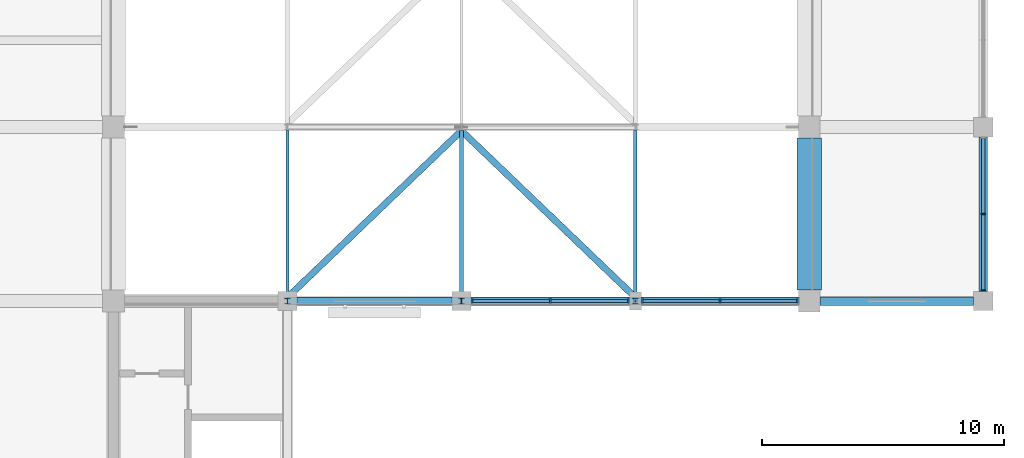
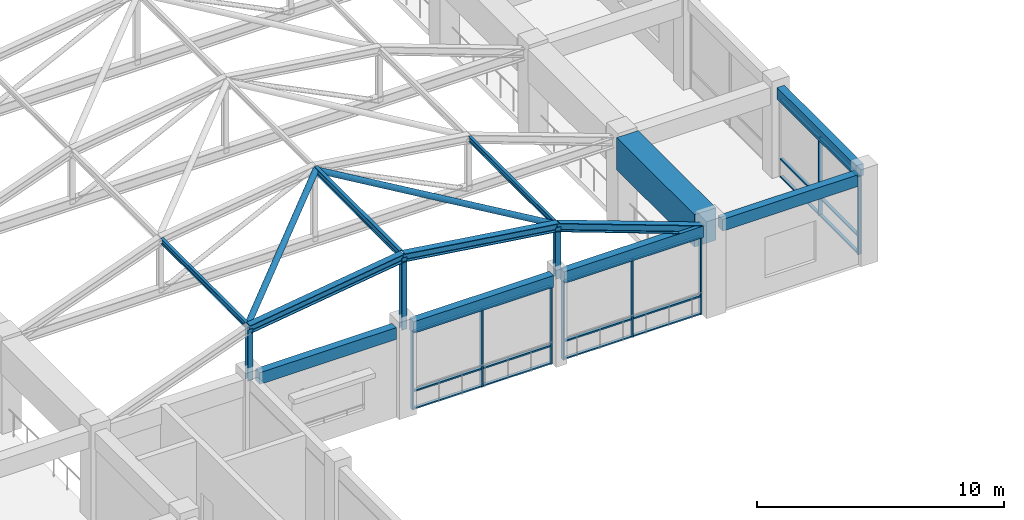
# One storey, part 35 of 75: 37 members, 6 beams, 3 elements without a shape of their own.
"""IFC4 building model written with IfcOpenShell, lengths in metres."""

from ifc_helpers import new_model, si_unit, direction, frame, origin, origin_2d, place, context, subcontext, project, spatial, rectangle, hollow_circle, i_section, extrude, material, layer, layer_set, material_profile, profile_set, type_object, element, aggregate, save


model = new_model("IFC4")

# Units and contexts
model_context = context("Model", 3, precision=1e-05, world=origin(), true_north=direction((0.0, 1.0)))
body_context = subcontext(model_context, "Body", "Model", "MODEL_VIEW")
ifc_project = project(units=[si_unit("LENGTHUNIT", "METRE"), si_unit("AREAUNIT", "SQUARE_METRE"), si_unit("VOLUMEUNIT", "CUBIC_METRE"), si_unit("PLANEANGLEUNIT", "RADIAN"), si_unit("MASSUNIT", "GRAM", prefix="KILO")], contexts=[model_context])

# Site, building, storey
site_placement = place(None, origin())
site = spatial("IfcSite", under=ifc_project, at=site_placement, CompositionType="ELEMENT")
building_placement = place(site_placement, origin())
building = spatial("IfcBuilding", under=site, at=building_placement, Name="Cendaluz Park School", CompositionType="ELEMENT")
storey_placement = place(building_placement, frame((0.0, 0.0, 4.800048828125)))
storey = spatial("IfcBuildingStorey", under=building, at=storey_placement, Name="L01", CompositionType="ELEMENT", Elevation=4.800048828125)

# Beams
ifc_material_1 = material(Name="Concrete C40/50", Category="concrete")
ifc_material_profile_1 = material_profile(ifc_material_1, rectangle(XDim=0.35009765625, YDim=0.580078125, at=origin_2d()), Name="RC 350x580", Category="concrete")
ifc_profile_set_1 = profile_set([ifc_material_profile_1], Name="Concrete C40/50")
beam_type_1 = type_object("IfcBeamType", Name="BM-RC04", PredefinedType="LINTEL", material=ifc_profile_set_1)
beam_1_placement = place(storey_placement, frame((144.39990234375, 57.60009765625, 4.139892578125), z_axis=(1.0, 0.0, 0.0), x_axis=(0.0, 1.0, 0.0)))
element("IfcBeam", 1, at=beam_1_placement, inside=storey, type_object=beam_type_1, Name="BM-L01-BMRC04-0189", PredefinedType="LINTEL", context=body_context, shape_type="SweptSolid", body=[
    extrude(rectangle(XDim=0.35009765625, YDim=0.580078125, at=origin_2d()), origin(), (0.0, 0.0, 1.0), 6.400146484375),
])
beam_2_placement = place(storey_placement, frame((151.60009765625, 57.60009765625, 4.139892578125), z_axis=(1.0, 0.0, 0.0), x_axis=(0.0, 1.0, 0.0)))
element("IfcBeam", 2, at=beam_2_placement, inside=storey, type_object=beam_type_1, Name="BM-L01-BMRC04-0198", PredefinedType="LINTEL", context=body_context, shape_type="SweptSolid", body=[
    extrude(rectangle(XDim=0.35009765625, YDim=0.580078125, at=origin_2d()), origin(), (0.0, 0.0, 1.0), 6.5498046875),
])
beam_3_placement = place(storey_placement, frame((158.64990234375, 57.60009765625, 4.139892578125), z_axis=(1.0, 0.0, 0.0), x_axis=(0.0, 1.0, 0.0)))
element("IfcBeam", 3, at=beam_3_placement, inside=storey, type_object=beam_type_1, Name="BM-L01-BMRC04-0207", PredefinedType="LINTEL", context=body_context, shape_type="SweptSolid", body=[
    extrude(rectangle(XDim=0.35009765625, YDim=0.580078125, at=origin_2d()), origin(), (0.0, 0.0, 1.0), 6.5),
])
beam_4_placement = place(storey_placement, frame((166.050048828125, 57.60009765625, 4.139892578125), z_axis=(1.0, 0.0, 0.0), x_axis=(0.0, 1.0, 0.0)))
element("IfcBeam", 4, at=beam_4_placement, inside=storey, type_object=beam_type_1, Name="BM-L01-BMRC04-0216", PredefinedType="LINTEL", context=body_context, shape_type="SweptSolid", body=[
    extrude(rectangle(XDim=0.35009765625, YDim=0.580078125, at=origin_2d()), origin(), (0.0, 0.0, 1.0), 6.349853515625),
])
beam_5_placement = place(storey_placement, frame((172.800048828125, 58.0, 4.139892578125), z_axis=(0.0, 1.0, 0.0), x_axis=(-1.0, 0.0, 0.0)))
element("IfcBeam", 5, at=beam_5_placement, inside=storey, type_object=beam_type_1, Name="BM-L01-BMRC04-0457", PredefinedType="LINTEL", context=body_context, shape_type="SweptSolid", body=[
    extrude(rectangle(XDim=0.35009765625, YDim=0.580078125, at=origin_2d()), origin(), (0.0, 0.0, 1.0), 6.39990234375),
])

# Curtain wall, members
ifc_material_2 = material(Name="Anodised Aluminium 6063-T6", Category="aluminium")
ifc_layer_1 = layer(ifc_material_2, 0.179931640625)
ifc_layer_set_1 = layer_set([ifc_layer_1], Name="Anodised Aluminium 6063-T6")
curtain_wall_type_1 = type_object("IfcCurtainWallType", Name="CW-131x77", PredefinedType="NOTDEFINED", material=ifc_layer_set_1)
curtain_wall_1_placement = place(storey_placement, origin())
curtain_wall_1 = element("IfcCurtainWall", 6, at=curtain_wall_1_placement, inside=storey, type_object=curtain_wall_type_1, Name="CW-L01-074", PredefinedType="NOTDEFINED")
ifc_material_profile_2 = material_profile(ifc_material_2, rectangle(XDim=0.179931640625, YDim=0.070068359375, at=origin_2d()), Name="CWM 180x70", Category="aluminium")
ifc_profile_set_2 = profile_set([ifc_material_profile_2], Name="Anodised Aluminium 6063-T6")
member_type_1 = type_object("IfcMemberType", Name="CWM-01", PredefinedType="MULLION", material=ifc_profile_set_2)
member_1_placement = place(storey_placement, frame((151.635009765625, 57.60009765625, 0.0), z_axis=(0.0, 0.0, 1.0), x_axis=(0.0, 1.0, 0.0)))
member_1 = element("IfcMember", 7, at=member_1_placement, type_object=member_type_1, Name="CP-L01-0950", PredefinedType="MULLION", context=body_context, shape_type="SweptSolid", body=[
    extrude(rectangle(XDim=0.179931640625, YDim=0.070068359375, at=origin_2d()), origin(), (0.0, 0.0, 1.0), 3.849853515625),
])
member_2_placement = place(storey_placement, frame((154.875, 57.60009765625, 0.0), z_axis=(0.0, 0.0, 1.0), x_axis=(0.0, 1.0, 0.0)))
member_2 = element("IfcMember", 8, at=member_2_placement, type_object=member_type_1, Name="CP-L01-0951", PredefinedType="MULLION", context=body_context, shape_type="SweptSolid", body=[
    extrude(rectangle(XDim=0.179931640625, YDim=0.070068359375, at=origin_2d()), origin(), (0.0, 0.0, 1.0), 3.849853515625),
])
member_3_placement = place(storey_placement, frame((158.114990234375, 57.60009765625, 0.0), z_axis=(0.0, 0.0, 1.0), x_axis=(0.0, 1.0, 0.0)))
member_3 = element("IfcMember", 9, at=member_3_placement, type_object=member_type_1, Name="CP-L01-0952", PredefinedType="MULLION", context=body_context, shape_type="SweptSolid", body=[
    extrude(rectangle(XDim=0.179931640625, YDim=0.070068359375, at=origin_2d()), origin(), (0.0, 0.0, 1.0), 3.849853515625),
])

ifc_layer_2 = layer(ifc_material_2, 0.179931640625)
ifc_layer_set_2 = layer_set([ifc_layer_2], Name="Anodised Aluminium 6063-T6")
curtain_wall_type_2 = type_object("IfcCurtainWallType", Name="CW-130x77", PredefinedType="NOTDEFINED", material=ifc_layer_set_2)
curtain_wall_2_placement = place(storey_placement, origin())
curtain_wall_2 = element("IfcCurtainWall", 10, at=curtain_wall_2_placement, inside=storey, type_object=curtain_wall_type_2, Name="CW-L01-076", PredefinedType="NOTDEFINED")
member_4_placement = place(storey_placement, frame((158.68505859375, 57.60009765625, 0.0), z_axis=(0.0, 0.0, 1.0), x_axis=(0.0, 1.0, 0.0)))
member_4 = element("IfcMember", 11, at=member_4_placement, type_object=member_type_1, Name="CP-L01-0976", PredefinedType="MULLION", context=body_context, shape_type="SweptSolid", body=[
    extrude(rectangle(XDim=0.179931640625, YDim=0.070068359375, at=origin_2d()), origin(), (0.0, 0.0, 1.0), 3.849853515625),
])
member_5_placement = place(storey_placement, frame((161.89990234375, 57.60009765625, 0.0), z_axis=(0.0, 0.0, 1.0), x_axis=(0.0, 1.0, 0.0)))
member_5 = element("IfcMember", 12, at=member_5_placement, type_object=member_type_1, Name="CP-L01-0977", PredefinedType="MULLION", context=body_context, shape_type="SweptSolid", body=[
    extrude(rectangle(XDim=0.179931640625, YDim=0.070068359375, at=origin_2d()), origin(), (0.0, 0.0, 1.0), 3.849853515625),
])
member_6_placement = place(storey_placement, frame((165.114990234375, 57.60009765625, 0.0), z_axis=(0.0, 0.0, 1.0), x_axis=(0.0, 1.0, 0.0)))
member_6 = element("IfcMember", 13, at=member_6_placement, type_object=member_type_1, Name="CP-L01-0978", PredefinedType="MULLION", context=body_context, shape_type="SweptSolid", body=[
    extrude(rectangle(XDim=0.179931640625, YDim=0.070068359375, at=origin_2d()), origin(), (0.0, 0.0, 1.0), 3.849853515625),
])

ifc_layer_3 = layer(ifc_material_2, 0.179931640625)
ifc_layer_set_3 = layer_set([ifc_layer_3], Name="Anodised Aluminium 6063-T6")
curtain_wall_type_3 = type_object("IfcCurtainWallType", Name="CW-128x77", PredefinedType="NOTDEFINED", material=ifc_layer_set_3)
curtain_wall_3_placement = place(storey_placement, origin())
curtain_wall_3 = element("IfcCurtainWall", 14, at=curtain_wall_3_placement, inside=storey, type_object=curtain_wall_type_3, Name="CW-L01-083", PredefinedType="NOTDEFINED")
member_7_placement = place(storey_placement, frame((172.800048828125, 58.034912109375, 0.0), z_axis=(0.0, 0.0, 1.0), x_axis=(-1.0, 0.0, 0.0)))
member_7 = element("IfcMember", 15, at=member_7_placement, type_object=member_type_1, Name="CP-L01-1067", PredefinedType="MULLION", context=body_context, shape_type="SweptSolid", body=[
    extrude(rectangle(XDim=0.179931640625, YDim=0.070068359375, at=origin_2d()), origin(), (0.0, 0.0, 1.0), 3.849853515625),
])
member_8_placement = place(storey_placement, frame((172.800048828125, 61.199951171875, 0.0), z_axis=(0.0, 0.0, 1.0), x_axis=(-1.0, 0.0, 0.0)))
member_8 = element("IfcMember", 16, at=member_8_placement, type_object=member_type_1, Name="CP-L01-1068", PredefinedType="MULLION", context=body_context, shape_type="SweptSolid", body=[
    extrude(rectangle(XDim=0.179931640625, YDim=0.070068359375, at=origin_2d()), origin(), (0.0, 0.0, 1.0), 3.849853515625),
])

# Member
ifc_material_profile_3 = material_profile(ifc_material_2, rectangle(XDim=0.139892578125, YDim=0.070068359375, at=origin_2d()), Name="CWT 140x70", Category="aluminium")
ifc_profile_set_3 = profile_set([ifc_material_profile_3], Name="Anodised Aluminium 6063-T6")
member_type_2 = type_object("IfcMemberType", Name="CWT-01", PredefinedType="USERDEFINED", material=ifc_profile_set_3)
member_9_placement = place(storey_placement, frame((151.669921875, 57.60009765625, 0.034912109375), z_axis=(1.0, 0.0, 0.0), x_axis=(0.0, 1.0, 0.0)))
member_9 = element("IfcMember", 17, at=member_9_placement, type_object=member_type_2, Name="CP-L01-0953", ObjectType="TRANSOM", PredefinedType="USERDEFINED", context=body_context, shape_type="SweptSolid", body=[
    extrude(rectangle(XDim=0.139892578125, YDim=0.070068359375, at=origin_2d()), origin(), (0.0, 0.0, 1.0), 3.170166015625),
])

member_10_placement = place(storey_placement, frame((151.669921875, 57.60009765625, 0.89990234375), z_axis=(1.0, 0.0, 0.0), x_axis=(0.0, 1.0, 0.0)))
member_10 = element("IfcMember", 18, at=member_10_placement, type_object=member_type_2, Name="CP-L01-0954", ObjectType="TRANSOM", PredefinedType="USERDEFINED", context=body_context, shape_type="SweptSolid", body=[
    extrude(rectangle(XDim=0.139892578125, YDim=0.070068359375, at=origin_2d()), origin(), (0.0, 0.0, 1.0), 3.170166015625),
])

member_11_placement = place(storey_placement, frame((151.669921875, 57.60009765625, 3.81494140625), z_axis=(1.0, 0.0, 0.0), x_axis=(0.0, 1.0, 0.0)))
member_11 = element("IfcMember", 19, at=member_11_placement, type_object=member_type_2, Name="CP-L01-0955", ObjectType="TRANSOM", PredefinedType="USERDEFINED", context=body_context, shape_type="SweptSolid", body=[
    extrude(rectangle(XDim=0.139892578125, YDim=0.070068359375, at=origin_2d()), origin(), (0.0, 0.0, 1.0), 3.170166015625),
])

member_12_placement = place(storey_placement, frame((154.909912109375, 57.60009765625, 0.034912109375), z_axis=(1.0, 0.0, 0.0), x_axis=(0.0, 1.0, 0.0)))
member_12 = element("IfcMember", 20, at=member_12_placement, type_object=member_type_2, Name="CP-L01-0958", ObjectType="TRANSOM", PredefinedType="USERDEFINED", context=body_context, shape_type="SweptSolid", body=[
    extrude(rectangle(XDim=0.139892578125, YDim=0.070068359375, at=origin_2d()), origin(), (0.0, 0.0, 1.0), 3.170166015625),
])

member_13_placement = place(storey_placement, frame((154.909912109375, 57.60009765625, 0.89990234375), z_axis=(1.0, 0.0, 0.0), x_axis=(0.0, 1.0, 0.0)))
member_13 = element("IfcMember", 21, at=member_13_placement, type_object=member_type_2, Name="CP-L01-0959", ObjectType="TRANSOM", PredefinedType="USERDEFINED", context=body_context, shape_type="SweptSolid", body=[
    extrude(rectangle(XDim=0.139892578125, YDim=0.070068359375, at=origin_2d()), origin(), (0.0, 0.0, 1.0), 3.170166015625),
])

member_14_placement = place(storey_placement, frame((154.909912109375, 57.60009765625, 3.81494140625), z_axis=(1.0, 0.0, 0.0), x_axis=(0.0, 1.0, 0.0)))
member_14 = element("IfcMember", 22, at=member_14_placement, type_object=member_type_2, Name="CP-L01-0960", ObjectType="TRANSOM", PredefinedType="USERDEFINED", context=body_context, shape_type="SweptSolid", body=[
    extrude(rectangle(XDim=0.139892578125, YDim=0.070068359375, at=origin_2d()), origin(), (0.0, 0.0, 1.0), 3.170166015625),
])

aggregate(curtain_wall_1, [member_1, member_2, member_3, member_9, member_10, member_11, member_12, member_13, member_14])

member_15_placement = place(storey_placement, frame((158.719970703125, 57.60009765625, 0.034912109375), z_axis=(1.0, 0.0, 0.0), x_axis=(0.0, 1.0, 0.0)))
member_15 = element("IfcMember", 23, at=member_15_placement, type_object=member_type_2, Name="CP-L01-0979", ObjectType="TRANSOM", PredefinedType="USERDEFINED", context=body_context, shape_type="SweptSolid", body=[
    extrude(rectangle(XDim=0.139892578125, YDim=0.070068359375, at=origin_2d()), origin(), (0.0, 0.0, 1.0), 3.14501953125),
])

member_16_placement = place(storey_placement, frame((158.719970703125, 57.60009765625, 0.89990234375), z_axis=(1.0, 0.0, 0.0), x_axis=(0.0, 1.0, 0.0)))
member_16 = element("IfcMember", 24, at=member_16_placement, type_object=member_type_2, Name="CP-L01-0980", ObjectType="TRANSOM", PredefinedType="USERDEFINED", context=body_context, shape_type="SweptSolid", body=[
    extrude(rectangle(XDim=0.139892578125, YDim=0.070068359375, at=origin_2d()), origin(), (0.0, 0.0, 1.0), 3.14501953125),
])

member_17_placement = place(storey_placement, frame((158.719970703125, 57.60009765625, 3.81494140625), z_axis=(1.0, 0.0, 0.0), x_axis=(0.0, 1.0, 0.0)))
member_17 = element("IfcMember", 25, at=member_17_placement, type_object=member_type_2, Name="CP-L01-0981", ObjectType="TRANSOM", PredefinedType="USERDEFINED", context=body_context, shape_type="SweptSolid", body=[
    extrude(rectangle(XDim=0.139892578125, YDim=0.070068359375, at=origin_2d()), origin(), (0.0, 0.0, 1.0), 3.14501953125),
])

member_18_placement = place(storey_placement, frame((161.93505859375, 57.60009765625, 0.034912109375), z_axis=(1.0, 0.0, 0.0), x_axis=(0.0, 1.0, 0.0)))
member_18 = element("IfcMember", 26, at=member_18_placement, type_object=member_type_2, Name="CP-L01-0984", ObjectType="TRANSOM", PredefinedType="USERDEFINED", context=body_context, shape_type="SweptSolid", body=[
    extrude(rectangle(XDim=0.139892578125, YDim=0.070068359375, at=origin_2d()), origin(), (0.0, 0.0, 1.0), 3.14501953125),
])

member_19_placement = place(storey_placement, frame((161.93505859375, 57.60009765625, 0.89990234375), z_axis=(1.0, 0.0, 0.0), x_axis=(0.0, 1.0, 0.0)))
member_19 = element("IfcMember", 27, at=member_19_placement, type_object=member_type_2, Name="CP-L01-0985", ObjectType="TRANSOM", PredefinedType="USERDEFINED", context=body_context, shape_type="SweptSolid", body=[
    extrude(rectangle(XDim=0.139892578125, YDim=0.070068359375, at=origin_2d()), origin(), (0.0, 0.0, 1.0), 3.14501953125),
])

member_20_placement = place(storey_placement, frame((161.93505859375, 57.60009765625, 3.81494140625), z_axis=(1.0, 0.0, 0.0), x_axis=(0.0, 1.0, 0.0)))
member_20 = element("IfcMember", 28, at=member_20_placement, type_object=member_type_2, Name="CP-L01-0986", ObjectType="TRANSOM", PredefinedType="USERDEFINED", context=body_context, shape_type="SweptSolid", body=[
    extrude(rectangle(XDim=0.139892578125, YDim=0.070068359375, at=origin_2d()), origin(), (0.0, 0.0, 1.0), 3.14501953125),
])

aggregate(curtain_wall_2, [member_4, member_5, member_6, member_15, member_16, member_17, member_18, member_19, member_20])

member_21_placement = place(storey_placement, frame((172.800048828125, 58.070068359375, 0.034912109375), z_axis=(0.0, 1.0, 0.0), x_axis=(-1.0, 0.0, 0.0)))
member_21 = element("IfcMember", 29, at=member_21_placement, type_object=member_type_2, Name="CP-L01-1070", ObjectType="TRANSOM", PredefinedType="USERDEFINED", context=body_context, shape_type="SweptSolid", body=[
    extrude(rectangle(XDim=0.139892578125, YDim=0.070068359375, at=origin_2d()), origin(), (0.0, 0.0, 1.0), 3.094970703125),
])

member_22_placement = place(storey_placement, frame((172.800048828125, 58.070068359375, 0.89990234375), z_axis=(0.0, 1.0, 0.0), x_axis=(-1.0, 0.0, 0.0)))
member_22 = element("IfcMember", 30, at=member_22_placement, type_object=member_type_2, Name="CP-L01-1071", ObjectType="TRANSOM", PredefinedType="USERDEFINED", context=body_context, shape_type="SweptSolid", body=[
    extrude(rectangle(XDim=0.139892578125, YDim=0.070068359375, at=origin_2d()), origin(), (0.0, 0.0, 1.0), 3.094970703125),
])

member_23_placement = place(storey_placement, frame((172.800048828125, 58.070068359375, 3.81494140625), z_axis=(0.0, 1.0, 0.0), x_axis=(-1.0, 0.0, 0.0)))
member_23 = element("IfcMember", 31, at=member_23_placement, type_object=member_type_2, Name="CP-L01-1072", ObjectType="TRANSOM", PredefinedType="USERDEFINED", context=body_context, shape_type="SweptSolid", body=[
    extrude(rectangle(XDim=0.139892578125, YDim=0.070068359375, at=origin_2d()), origin(), (0.0, 0.0, 1.0), 3.094970703125),
])

member_24_placement = place(storey_placement, frame((172.800048828125, 61.235107421875, 0.034912109375), z_axis=(0.0, 1.0, 0.0), x_axis=(-1.0, 0.0, 0.0)))
member_24 = element("IfcMember", 32, at=member_24_placement, type_object=member_type_2, Name="CP-L01-1075", ObjectType="TRANSOM", PredefinedType="USERDEFINED", context=body_context, shape_type="SweptSolid", body=[
    extrude(rectangle(XDim=0.139892578125, YDim=0.070068359375, at=origin_2d()), origin(), (0.0, 0.0, 1.0), 3.094970703125),
])

member_25_placement = place(storey_placement, frame((172.800048828125, 61.235107421875, 0.89990234375), z_axis=(0.0, 1.0, 0.0), x_axis=(-1.0, 0.0, 0.0)))
member_25 = element("IfcMember", 33, at=member_25_placement, type_object=member_type_2, Name="CP-L01-1076", ObjectType="TRANSOM", PredefinedType="USERDEFINED", context=body_context, shape_type="SweptSolid", body=[
    extrude(rectangle(XDim=0.139892578125, YDim=0.070068359375, at=origin_2d()), origin(), (0.0, 0.0, 1.0), 3.094970703125),
])

member_26_placement = place(storey_placement, frame((172.800048828125, 61.235107421875, 3.81494140625), z_axis=(0.0, 1.0, 0.0), x_axis=(-1.0, 0.0, 0.0)))
member_26 = element("IfcMember", 34, at=member_26_placement, type_object=member_type_2, Name="CP-L01-1077", ObjectType="TRANSOM", PredefinedType="USERDEFINED", context=body_context, shape_type="SweptSolid", body=[
    extrude(rectangle(XDim=0.139892578125, YDim=0.070068359375, at=origin_2d()), origin(), (0.0, 0.0, 1.0), 3.094970703125),
])

aggregate(curtain_wall_3, [member_7, member_8, member_21, member_22, member_23, member_24, member_25, member_26])

# Members
ifc_material_3 = material(Name="Steel S355", Category="steel")
ifc_material_profile_4 = material_profile(ifc_material_3, i_section(OverallWidth=0.300048828125, OverallDepth=0.39990234375, WebThickness=0.013916015625, FlangeThickness=0.02392578125, FilletRadius=0.027099609375, at=origin_2d()), Name="HEB 400", Category="steel")
ifc_profile_set_4 = profile_set([ifc_material_profile_4], Name="Steel S355")
member_type_3 = type_object("IfcMemberType", Name="MB-CH01", PredefinedType="CHORD", material=ifc_profile_set_4)
for number, where, z_axis, x_axis, name in (
    (35, (144.0, 57.60009765625, 6.68994140625), (0.990113333567, 0.0, 0.140269692708), (0.0, 1.0, 0.0), "MB-L01-MBCH01-0089"),
    (36, (151.199951171875, 57.60009765625, 7.7099609375), (0.990113333567, 0.0, -0.140269692708), (0.0, 1.0, 0.0), "MB-L01-MBCH01-0090"),
):
    element("IfcMember", number, at=place(storey_placement, frame(where, z_axis=z_axis, x_axis=x_axis)), inside=storey, type_object=member_type_3, Name=name, PredefinedType="CHORD", context=body_context, shape_type="SweptSolid", body=[
        extrude(i_section(OverallWidth=0.300048828125, OverallDepth=0.39990234375, WebThickness=0.013916015625, FlangeThickness=0.02392578125, FilletRadius=0.027099609375, at=origin_2d()), origin(), (0.0, 0.0, 1.0), 7.271728515625),
    ])
member_27_placement = place(storey_placement, frame((158.39990234375, 57.60009765625, 6.68994140625), z_axis=(0.939102267455, 0.0, -0.343637790793), x_axis=(0.0, 1.0, 0.0)))
element("IfcMember", 37, at=member_27_placement, inside=storey, type_object=member_type_3, Name="MB-L01-MBCH01-0091", PredefinedType="CHORD", context=body_context, shape_type="SweptSolid", body=[
    extrude(i_section(OverallWidth=0.300048828125, OverallDepth=0.39990234375, WebThickness=0.013916015625, FlangeThickness=0.02392578125, FilletRadius=0.027099609375, at=origin_2d()), origin(), (0.0, 0.0, 1.0), 7.187744140625),
])
ifc_material_profile_5 = material_profile(ifc_material_3, i_section(OverallWidth=0.135009765625, OverallDepth=0.27001953125, WebThickness=0.007080078125, FlangeThickness=0.010009765625, FilletRadius=0.014892578125, at=origin_2d()), Name="IPE 270", Category="steel")
ifc_profile_set_5 = profile_set([ifc_material_profile_5], Name="Steel S355")
member_type_4 = type_object("IfcMemberType", Name="MB-PR01", PredefinedType="PURLIN", material=ifc_profile_set_5)
for number, where, z_axis, x_axis, name in (
    (38, (144.0, 57.75, 6.73486328125), (0.0, 1.0, 0.0), (-1.0, 0.0, 0.0), "MB-L01-MBPR01-0147"),
    (39, (158.39990234375, 57.75, 6.73486328125), (0.0, 1.0, 0.0), (-1.0, 0.0, 0.0), "MB-L01-MBPR01-0149"),
):
    element("IfcMember", number, at=place(storey_placement, frame(where, z_axis=z_axis, x_axis=x_axis)), inside=storey, type_object=member_type_4, Name=name, PredefinedType="PURLIN", context=body_context, shape_type="SweptSolid", body=[
        extrude(i_section(OverallWidth=0.135009765625, OverallDepth=0.27001953125, WebThickness=0.007080078125, FlangeThickness=0.010009765625, FilletRadius=0.014892578125, at=origin_2d()), origin(), (0.0, 0.0, 1.0), 6.89990234375),
    ])
ifc_material_profile_6 = material_profile(ifc_material_3, i_section(OverallWidth=0.159912109375, OverallDepth=0.330078125, WebThickness=0.008056640625, FlangeThickness=0.011962890625, FilletRadius=0.01806640625, at=origin_2d()), Name="IPE 330", Category="steel")
ifc_profile_set_6 = profile_set([ifc_material_profile_6], Name="Steel S355")
member_type_5 = type_object("IfcMemberType", Name="MB-PR02", PredefinedType="PURLIN", material=ifc_profile_set_6)
member_28_placement = place(storey_placement, frame((151.199951171875, 57.75, 7.73486328125), z_axis=(0.0, 1.0, 0.0), x_axis=(-1.0, 0.0, 0.0)))
element("IfcMember", 40, at=member_28_placement, inside=storey, type_object=member_type_5, Name="MB-L01-MBPR02-0148", PredefinedType="PURLIN", context=body_context, shape_type="SweptSolid", body=[
    extrude(i_section(OverallWidth=0.159912109375, OverallDepth=0.330078125, WebThickness=0.008056640625, FlangeThickness=0.011962890625, FilletRadius=0.01806640625, at=origin_2d()), origin(), (0.0, 0.0, 1.0), 6.89990234375),
])
ifc_material_profile_7 = material_profile(ifc_material_3, hollow_circle(Radius=0.136474609375, WallThickness=0.011962890625, at=origin_2d()), Name="CHS 273x12", Category="steel")
ifc_profile_set_7 = profile_set([ifc_material_profile_7], Name="Steel S355")
member_type_6 = type_object("IfcMemberType", Name="MBR-01", PredefinedType="BRACE", material=ifc_profile_set_7)
for number, where, z_axis, x_axis, name in (
    (41, (144.0, 57.75, 6.68994140625), (0.718243342444, 0.688311462621, 0.101753778601), (-0.691902704581, 0.721990752983, 0.0), "MB-L01-MBBR01-0150"),
    (42, (158.39990234375, 57.75, 6.68994140625), (-0.718243342444, 0.688311462621, 0.101753778601), (-0.691902704581, -0.721990752983, 0.0), "MB-L01-MBBR01-0151"),
):
    element("IfcMember", number, at=place(storey_placement, frame(where, z_axis=z_axis, x_axis=x_axis)), inside=storey, type_object=member_type_6, Name=name, PredefinedType="BRACE", context=body_context, shape_type="SweptSolid", body=[
        extrude(hollow_circle(Radius=0.136474609375, WallThickness=0.011962890625, at=origin_2d()), origin(), (0.0, 0.0, 1.0), 10.0244140625),
    ])
ifc_material_profile_8 = material_profile(ifc_material_3, i_section(OverallWidth=0.239990234375, OverallDepth=0.22998046875, WebThickness=0.008056640625, FlangeThickness=0.011962890625, FilletRadius=0.02099609375, at=origin_2d()), Name="HEA 240", Category="steel")
ifc_profile_set_8 = profile_set([ifc_material_profile_8], Name="Steel S355")
member_type_7 = type_object("IfcMemberType", Name="MST-01", PredefinedType="STRUT", material=ifc_profile_set_8)
member_29_placement = place(storey_placement, frame((144.0, 57.60009765625, 4.14990234375), z_axis=(0.0, 0.0, 1.0), x_axis=(1.0, 0.0, 0.0)))
element("IfcMember", 43, at=member_29_placement, inside=storey, type_object=member_type_7, Name="MB-L01-MBST01-0092", PredefinedType="STRUT", context=body_context, shape_type="SweptSolid", body=[
    extrude(i_section(OverallWidth=0.239990234375, OverallDepth=0.22998046875, WebThickness=0.008056640625, FlangeThickness=0.011962890625, FilletRadius=0.02099609375, at=origin_2d()), origin(), (0.0, 0.0, 1.0), 2.5400390625),
])
member_30_placement = place(storey_placement, frame((151.199951171875, 57.60009765625, 4.14990234375), z_axis=(0.0, 0.0, 1.0), x_axis=(1.0, 0.0, 0.0)))
element("IfcMember", 44, at=member_30_placement, inside=storey, type_object=member_type_7, Name="MB-L01-MBST01-0093", PredefinedType="STRUT", context=body_context, shape_type="SweptSolid", body=[
    extrude(i_section(OverallWidth=0.239990234375, OverallDepth=0.22998046875, WebThickness=0.008056640625, FlangeThickness=0.011962890625, FilletRadius=0.02099609375, at=origin_2d()), origin(), (0.0, 0.0, 1.0), 3.56005859375),
])
member_31_placement = place(storey_placement, frame((158.39990234375, 57.60009765625, 4.14990234375), z_axis=(0.0, 0.0, 1.0), x_axis=(1.0, 0.0, 0.0)))
element("IfcMember", 45, at=member_31_placement, inside=storey, type_object=member_type_7, Name="MB-L01-MBST01-0094", PredefinedType="STRUT", context=body_context, shape_type="SweptSolid", body=[
    extrude(i_section(OverallWidth=0.239990234375, OverallDepth=0.22998046875, WebThickness=0.008056640625, FlangeThickness=0.011962890625, FilletRadius=0.02099609375, at=origin_2d()), origin(), (0.0, 0.0, 1.0), 2.5400390625),
])

# Beam
ifc_material_profile_9 = material_profile(ifc_material_1, rectangle(XDim=1.0, YDim=1.60009765625, at=origin_2d()), Name="RC 1000x1600", Category="concrete")
ifc_profile_set_9 = profile_set([ifc_material_profile_9], Name="Concrete C40/50")
beam_type_2 = type_object("IfcBeamType", Name="TG-RC01", PredefinedType="BEAM", material=ifc_profile_set_9)
beam_6_placement = place(storey_placement, frame((165.60009765625, 58.050048828125, 3.820068359375), z_axis=(0.0, 1.0, 0.0), x_axis=(-1.0, 0.0, 0.0)))
element("IfcBeam", 46, at=beam_6_placement, inside=storey, type_object=beam_type_2, Name="Barrel Vault Collector Girder BM-L01-TGRC01-0445", PredefinedType="BEAM", context=body_context, shape_type="SweptSolid", body=[
    extrude(rectangle(XDim=1.0, YDim=1.60009765625, at=origin_2d()), origin(), (0.0, 0.0, 1.0), 6.300048828125),
])

save(model, "model.ifc")
